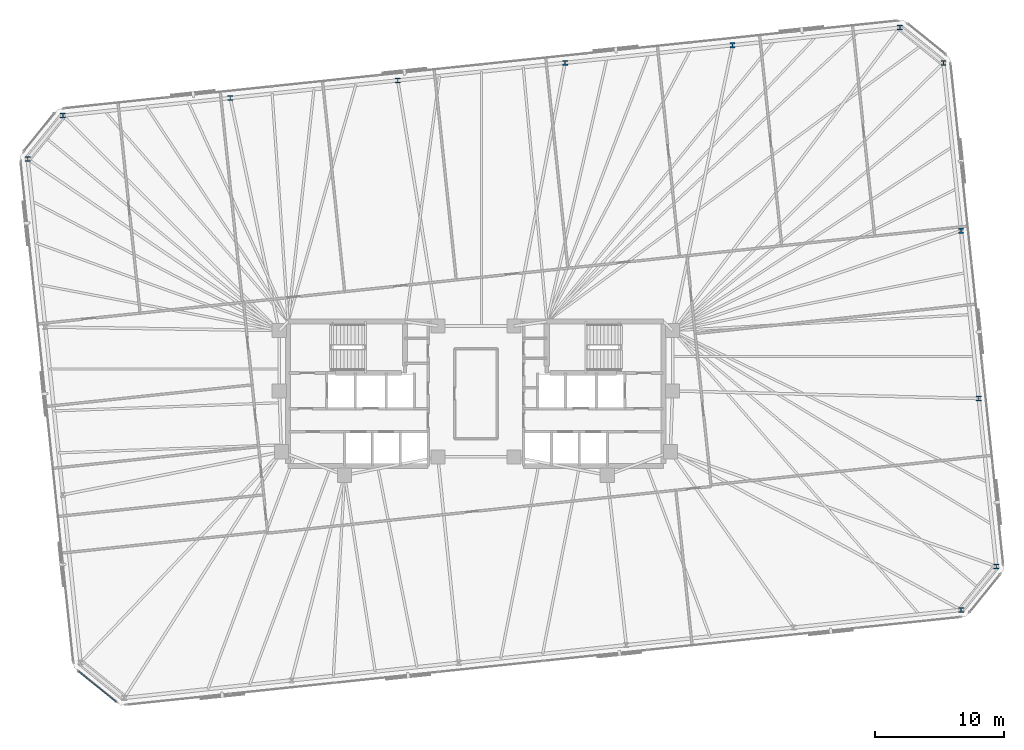
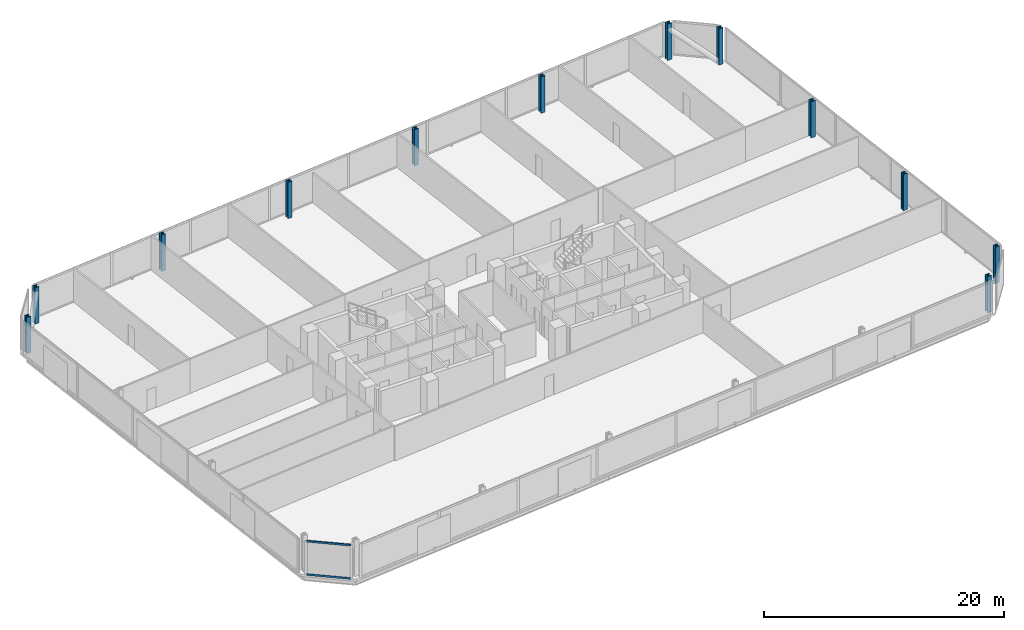
# One storey, part 5 of 18: 12 columns, 2 members, 1 element without a shape of its own.
"""IFC4 building model written with IfcOpenShell, lengths in metres."""

from ifc_helpers import new_model, si_unit, direction, frame, origin, origin_2d, place, context, subcontext, project, spatial, rectangle, i_section, extrude, material, material_profile, profile_set, type_object, element, aggregate, save


model = new_model("IFC4")

# Units and contexts
model_context = context("Model", 3, precision=1e-05, world=origin(), true_north=direction((0.0, 1.0)))
body_context = subcontext(model_context, "Body", "Model", "MODEL_VIEW")
ifc_project = project(units=[si_unit("LENGTHUNIT", "METRE"), si_unit("AREAUNIT", "SQUARE_METRE"), si_unit("VOLUMEUNIT", "CUBIC_METRE"), si_unit("PLANEANGLEUNIT", "RADIAN"), si_unit("MASSUNIT", "GRAM", prefix="KILO")], contexts=[model_context])

# Site, building, storey
site_placement = place(None, origin())
site = spatial("IfcSite", under=ifc_project, at=site_placement, CompositionType="ELEMENT")
building_placement = place(site_placement, origin())
building = spatial("IfcBuilding", under=site, at=building_placement, Name="Menara Jurai Vektor", CompositionType="ELEMENT")
storey_placement = place(building_placement, frame((0.0, 0.0, 128.10009765625)))
storey = spatial("IfcBuildingStorey", under=building, at=storey_placement, Name="L32", CompositionType="ELEMENT", Elevation=128.10009765625)

# Columns
ifc_material_1 = material(Name="Steel S460", Category="steel")
ifc_material_profile_1 = material_profile(ifc_material_1, i_section(OverallWidth=0.4130859375, OverallDepth=0.39794921875, WebThickness=0.055908203125, FlangeThickness=0.089111328125, FilletRadius=0.014892578125, at=origin_2d()), Name="HD 400x744")
ifc_profile_set_1 = profile_set([ifc_material_profile_1], Name="Steel S460")
column_type = type_object("IfcColumnType", Name="STR-EXO-BLK2", PredefinedType="COLUMN", material=ifc_profile_set_1)
for number, where, z_axis, x_axis, name in (
    (1, (37.621826171875, -16.76513671875, 0.0), (0.0, 0.0, 1.0), (1.0, 0.0, 0.0), "Exoskeleton Column BLK2-S6 L32"),
    (2, (40.356201171875, -13.388671875, 0.0), (0.0, 0.0, 1.0), (1.0, 0.0, 0.0), "Exoskeleton Column BLK2-E1 L32"),
    (3, (38.98828125, -0.375, 0.0), (0.0, 0.0, 1.0), (1.0, 0.0, 0.0), "Exoskeleton Column BLK2-E2 L32"),
    (4, (37.62060546875, 12.638427734375, 0.0), (0.0, 0.0, 1.0), (1.0, 0.0, 0.0), "Exoskeleton Column BLK2-E3 L32"),
    (5, (36.252685546875, 25.65185546875, 0.0), (0.0, 0.0, 1.0), (1.0, 0.0, 0.0), "Exoskeleton Column BLK2-E4 L32"),
    (6, (32.876220703125, 28.38623046875, 0.0), (0.0, 0.0, 1.0), (1.0, 0.0, 0.0), "Exoskeleton Column BLK2-N1 L32"),
    (7, (19.896728515625, 27.02197265625, 0.0), (0.0, 0.0, 1.0), (1.0, 0.0, 0.0), "Exoskeleton Column BLK2-N2 L32"),
    (8, (6.9169921875, 25.65771484375, 0.0), (0.0, 0.0, 1.0), (1.0, 0.0, 0.0), "Exoskeleton Column BLK2-N3 L32"),
    (9, (-6.0625, 24.29345703125, 0.0), (0.0, 0.0, 1.0), (1.0, 0.0, 0.0), "Exoskeleton Column BLK2-N4 L32"),
    (10, (-19.042236328125, 22.929443359375, 0.0), (0.0, 0.0, 1.0), (1.0, 0.0, 0.0), "Exoskeleton Column BLK2-N5 L32"),
    (11, (-32.02197265625, 21.565185546875, 0.0), (0.0, 0.0, 1.0), (1.0, 0.0, 0.0), "Exoskeleton Column BLK2-N6 L32"),
    (12, (-34.756103515625, 18.188720703125, 0.0), (0.0, 0.0, 1.0), (1.0, 0.0, 0.0), "Exoskeleton Column BLK2-W1 L32"),
):
    element("IfcColumn", number, at=place(storey_placement, frame(where, z_axis=z_axis, x_axis=x_axis)), inside=storey, type_object=column_type, Name=name, PredefinedType="COLUMN", context=body_context, shape_type="SweptSolid", body=[
        extrude(i_section(OverallWidth=0.4130859375, OverallDepth=0.39794921875, WebThickness=0.055908203125, FlangeThickness=0.089111328125, FilletRadius=0.014892578125, at=origin_2d()), origin(), (0.0, 0.0, 1.0), 3.699951171875),
    ])

# Curtain wall, members
ifc_material_2 = material(Name="Anodised Pale Aluminium & Low-E Double Glazing", Category="aluminium")
curtain_wall_type = type_object("IfcCurtainWallType", Name="CW-BLK2", PredefinedType="NOTDEFINED", material=ifc_material_2)
curtain_wall_placement = place(storey_placement, origin())
curtain_wall = element("IfcCurtainWall", 13, at=curtain_wall_placement, inside=storey, type_object=curtain_wall_type, Name="Unitised Curtain Wall L32 F08", PredefinedType="NOTDEFINED")
ifc_material_3 = material(Name="Anodised Pale Aluminium Transom", Category="aluminium")
ifc_material_profile_2 = material_profile(ifc_material_3, rectangle(XDim=0.090087890625, YDim=0.18505859375, at=origin_2d()), Name="ALU TRN 90x185")
ifc_profile_set_2 = profile_set([ifc_material_profile_2], Name="Anodised Pale Aluminium Transom")
member_type = type_object("IfcMemberType", Name="CW-BLK2-TRN", PredefinedType="USERDEFINED", material=ifc_profile_set_2)
member_1_placement = place(storey_placement, frame((-30.80078125, -21.525634765625, 0.044921875), z_axis=(0.777128916205, -0.6293414396, 0.0), x_axis=(0.6293414396, 0.777128916205, 0.0)))
member_1 = element("IfcMember", 14, at=member_1_placement, type_object=member_type, Name="CW-02 transom 1.1", ObjectType="TRANSOM", PredefinedType="USERDEFINED", context=body_context, shape_type="SweptSolid", body=[
    extrude(rectangle(XDim=0.090087890625, YDim=0.18505859375, at=origin_2d()), origin(), (0.0, 0.0, 1.0), 3.726806640625),
])
member_2_placement = place(storey_placement, frame((-30.80078125, -21.525634765625, 3.429931640625), z_axis=(0.777128916205, -0.6293414396, 0.0), x_axis=(0.6293414396, 0.777128916205, 0.0)))
member_2 = element("IfcMember", 15, at=member_2_placement, type_object=member_type, Name="CW-02 transom 1.2", ObjectType="TRANSOM", PredefinedType="USERDEFINED", context=body_context, shape_type="SweptSolid", body=[
    extrude(rectangle(XDim=0.090087890625, YDim=0.18505859375, at=origin_2d()), origin(), (0.0, 0.0, 1.0), 3.726806640625),
])
aggregate(curtain_wall, [member_1, member_2])

save(model, "model.ifc")
